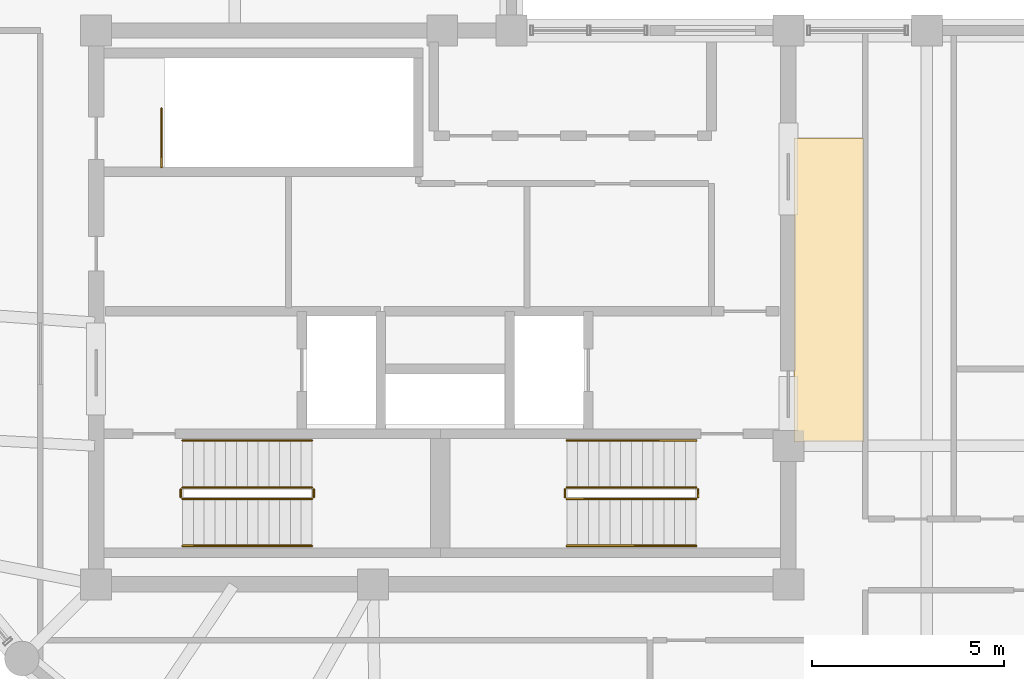
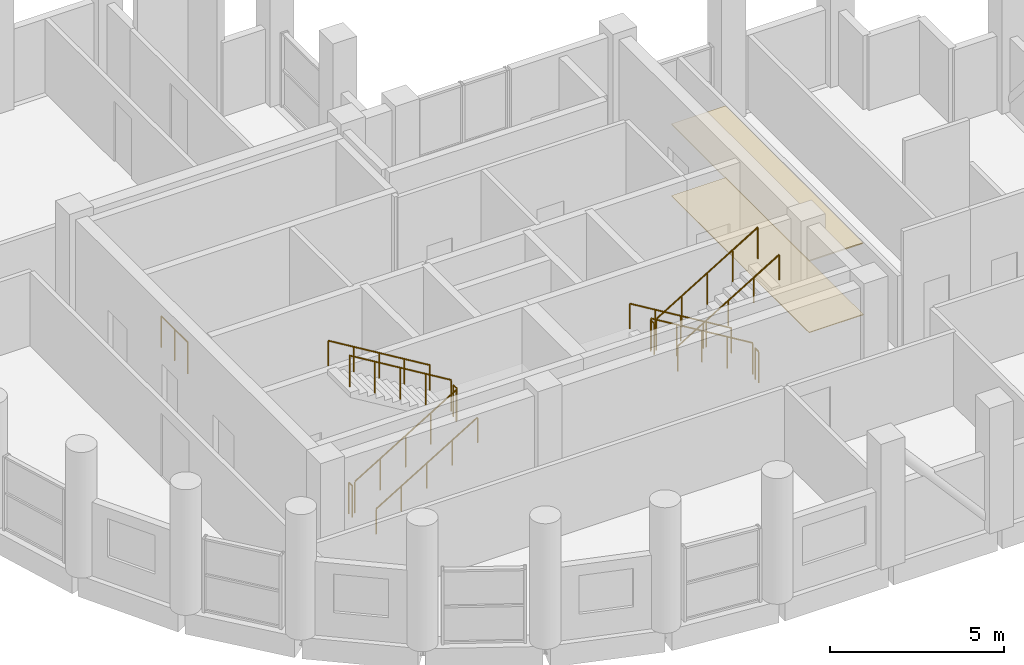
# One storey, part 14 of 14: 13 railings, 2 coverings.
"""IFC4 building model written with IfcOpenShell, lengths in metres."""

from ifc_helpers import new_model, si_unit, direction, frame, origin, origin_2d, place, context, subcontext, project, spatial, polyline, circle, outline, extrude, material, layer, layer_set, type_object, element, save


model = new_model("IFC4")

# Units and contexts
model_context = context("Model", 3, precision=1e-05, world=origin(), true_north=direction((0.0, 1.0)))
body_context = subcontext(model_context, "Body", "Model", "MODEL_VIEW")
ifc_project = project(units=[si_unit("LENGTHUNIT", "METRE"), si_unit("AREAUNIT", "SQUARE_METRE"), si_unit("VOLUMEUNIT", "CUBIC_METRE"), si_unit("PLANEANGLEUNIT", "RADIAN"), si_unit("MASSUNIT", "GRAM", prefix="KILO")], contexts=[model_context])

# Site, building, storey
site_placement = place(None, origin())
site = spatial("IfcSite", under=ifc_project, at=site_placement, CompositionType="ELEMENT")
building_placement = place(site_placement, origin())
building = spatial("IfcBuilding", under=site, at=building_placement, Name="Solnavia Interchange Tower", CompositionType="ELEMENT")
storey_placement = place(building_placement, frame((0.0, 0.0, 299.800048828125)))
storey = spatial("IfcBuildingStorey", under=building, at=storey_placement, Name="L76", CompositionType="ELEMENT", Elevation=299.800048828125)

# Coverings
ifc_material_1 = material(Name="Perforated Mineral-Fibre & Gypsum Ceiling", Category="gypsum")
ifc_layer_1 = layer(ifc_material_1, 0.0400390625)
ifc_layer_set_1 = layer_set([ifc_layer_1], Name="Perforated Mineral-Fibre & Gypsum Ceiling")
covering_type_1 = type_object("IfcCoveringType", Name="Covering-Ceiling-Acoustic40", PredefinedType="CEILING", material=ifc_layer_set_1)
covering_1_placement = place(storey_placement, frame((0.0, 0.0, 2.5)))
element("IfcCovering", 1, at=covering_1_placement, inside=storey, type_object=covering_type_1, Name="CLG-L76-01 Circulation suspended acoustic ceiling", PredefinedType="CEILING", context=body_context, shape_type="SweptSolid", body=[
    extrude(outline(polyline([(32.550048828125, 14.5), (34.35009765625, 14.5), (34.35009765625, 22.39990234375), (32.550048828125, 22.39990234375), (32.550048828125, 14.5)])), origin(), (0.0, 0.0, 1.0), 0.0400390625),
])
ifc_material_2 = material(Name="Polished Alicante Stone Terrazzo", Category="masonry")
ifc_layer_2 = layer(ifc_material_2, 0.02490234375)
ifc_layer_set_2 = layer_set([ifc_layer_2], Name="Polished Alicante Stone Terrazzo")
covering_type_2 = type_object("IfcCoveringType", Name="Covering-Flooring-Terrazzo25", PredefinedType="FLOORING", material=ifc_layer_set_2)
covering_2_placement = place(storey_placement, origin())
element("IfcCovering", 2, at=covering_2_placement, inside=storey, type_object=covering_type_2, Name="FLR-L76-01 Circulation floor finish", PredefinedType="FLOORING", context=body_context, shape_type="SweptSolid", body=[
    extrude(outline(polyline([(32.550048828125, 14.5), (34.35009765625, 14.5), (34.35009765625, 22.39990234375), (32.550048828125, 22.39990234375), (32.550048828125, 14.5)])), origin(), (0.0, 0.0, 1.0), 0.02490234375),
])

# Railings
ifc_material_3 = material(Name="Painted Steel Balustrade", Category="steel")
railing_type_1 = type_object("IfcRailingType", Name="Railing-StairGuard-1100", PredefinedType="GUARDRAIL", material=ifc_material_3)
railing_1_placement = place(storey_placement, frame((16.64990234375, 13.02001953125, 0.169189453125)))
element("IfcRailing", 3, at=railing_1_placement, inside=storey, type_object=railing_type_1, Name="L76 ST-1 stair guard 1", PredefinedType="GUARDRAIL", context=body_context, shape_type="SweptSolid", body=[
    extrude(circle(Radius=0.02392578125, at=origin_2d()), frame((0.0, 0.0, 1.09619140625), z_axis=(0.855836976705, 0.0, 0.517245656632), x_axis=(0.0, 1.0, 0.0)), (0.0, 0.0, 1.0), 3.926025390625),
    extrude(circle(Radius=0.02099609375, at=origin_2d()), origin(), (0.0, 0.0, 1.0), 1.072021484375),
    extrude(circle(Radius=0.02099609375, at=origin_2d()), frame((0.840087890625, 0.0, 0.5078125)), (0.0, 0.0, 1.0), 1.072021484375),
    extrude(circle(Radius=0.02099609375, at=origin_2d()), frame((1.68017578125, 0.0, 1.015380859375)), (0.0, 0.0, 1.0), 1.072021484375),
    extrude(circle(Radius=0.02099609375, at=origin_2d()), frame((2.52001953125, 0.0, 1.52294921875)), (0.0, 0.0, 1.0), 1.072021484375),
    extrude(circle(Radius=0.02099609375, at=origin_2d()), frame((3.360107421875, 0.0, 2.03076171875)), (0.0, 0.0, 1.0), 1.072021484375),
])
railing_2_placement = place(storey_placement, frame((20.06005859375, 13.070068359375, 2.199951171875)))
element("IfcRailing", 4, at=railing_2_placement, inside=storey, type_object=railing_type_1, Name="L76 ST-1 stair guard 2", PredefinedType="GUARDRAIL", context=body_context, shape_type="SweptSolid", body=[
    extrude(circle(Radius=0.02392578125, at=origin_2d()), frame((0.0, 0.0, 1.09619140625), z_axis=(0.0, 1.0, 0.0), x_axis=(-1.0, 0.0, 0.0)), (0.0, 0.0, 1.0), 0.199951171875),
    extrude(circle(Radius=0.02099609375, at=origin_2d()), origin(), (0.0, 0.0, 1.0), 1.072021484375),
    extrude(circle(Radius=0.02099609375, at=origin_2d()), frame((0.0, 0.199951171875, 0.0)), (0.0, 0.0, 1.0), 1.072021484375),
])
railing_3_placement = place(storey_placement, frame((20.010009765625, 13.320068359375, 2.369140625)))
element("IfcRailing", 5, at=railing_3_placement, inside=storey, type_object=railing_type_1, Name="L76 ST-1 stair guard 3", PredefinedType="GUARDRAIL", context=body_context, shape_type="SweptSolid", body=[
    extrude(circle(Radius=0.02392578125, at=origin_2d()), frame((0.0, 0.0, 1.09619140625), z_axis=(-0.855836976705, 0.0, 0.517245656632), x_axis=(0.0, -1.0, 0.0)), (0.0, 0.0, 1.0), 3.926025390625),
    extrude(circle(Radius=0.02099609375, at=origin_2d()), origin(), (0.0, 0.0, 1.0), 1.072021484375),
    extrude(circle(Radius=0.02099609375, at=origin_2d()), frame((-0.840087890625, 0.0, 0.5078125)), (0.0, 0.0, 1.0), 1.072021484375),
    extrude(circle(Radius=0.02099609375, at=origin_2d()), frame((-1.68017578125, 0.0, 1.015380859375)), (0.0, 0.0, 1.0), 1.072021484375),
    extrude(circle(Radius=0.02099609375, at=origin_2d()), frame((-2.52001953125, 0.0, 1.52294921875)), (0.0, 0.0, 1.0), 1.072021484375),
    extrude(circle(Radius=0.02099609375, at=origin_2d()), frame((-3.360107421875, 0.0, 2.03076171875)), (0.0, 0.0, 1.0), 1.072021484375),
])
railing_4_placement = place(storey_placement, frame((16.60009765625, 13.070068359375, 0.0)))
element("IfcRailing", 6, at=railing_4_placement, inside=storey, type_object=railing_type_1, Name="L76 ST-1 stair guard 4", PredefinedType="GUARDRAIL", context=body_context, shape_type="SweptSolid", body=[
    extrude(circle(Radius=0.02392578125, at=origin_2d()), frame((0.0, 0.0, 1.09619140625), z_axis=(0.0, 1.0, 0.0), x_axis=(-1.0, 0.0, 0.0)), (0.0, 0.0, 1.0), 0.199951171875),
    extrude(circle(Radius=0.02099609375, at=origin_2d()), origin(), (0.0, 0.0, 1.0), 1.072021484375),
    extrude(circle(Radius=0.02099609375, at=origin_2d()), frame((0.0, 0.199951171875, 0.0)), (0.0, 0.0, 1.0), 1.072021484375),
])
railing_5_placement = place(storey_placement, frame((30.0, 13.320068359375, 0.169189453125)))
element("IfcRailing", 7, at=railing_5_placement, inside=storey, type_object=railing_type_1, Name="L76 ST-2 stair guard 1", PredefinedType="GUARDRAIL", context=body_context, shape_type="SweptSolid", body=[
    extrude(circle(Radius=0.02392578125, at=origin_2d()), frame((0.0, 0.0, 1.09619140625), z_axis=(-0.855836976705, 0.0, 0.517245656632), x_axis=(0.0, -1.0, 0.0)), (0.0, 0.0, 1.0), 3.926025390625),
    extrude(circle(Radius=0.02099609375, at=origin_2d()), origin(), (0.0, 0.0, 1.0), 1.072021484375),
    extrude(circle(Radius=0.02099609375, at=origin_2d()), frame((-0.840087890625, 0.0, 0.5078125)), (0.0, 0.0, 1.0), 1.072021484375),
    extrude(circle(Radius=0.02099609375, at=origin_2d()), frame((-1.68017578125, 0.0, 1.015380859375)), (0.0, 0.0, 1.0), 1.072021484375),
    extrude(circle(Radius=0.02099609375, at=origin_2d()), frame((-2.52001953125, 0.0, 1.52294921875)), (0.0, 0.0, 1.0), 1.072021484375),
    extrude(circle(Radius=0.02099609375, at=origin_2d()), frame((-3.360107421875, 0.0, 2.03076171875)), (0.0, 0.0, 1.0), 1.072021484375),
])
railing_6_placement = place(storey_placement, frame((26.590087890625, 13.27001953125, 2.199951171875)))
element("IfcRailing", 8, at=railing_6_placement, inside=storey, type_object=railing_type_1, Name="L76 ST-2 stair guard 2", PredefinedType="GUARDRAIL", context=body_context, shape_type="SweptSolid", body=[
    extrude(circle(Radius=0.02392578125, at=origin_2d()), frame((0.0, 0.0, 1.09619140625), z_axis=(0.0, -1.0, 0.0), x_axis=(1.0, 0.0, 0.0)), (0.0, 0.0, 1.0), 0.199951171875),
    extrude(circle(Radius=0.02099609375, at=origin_2d()), origin(), (0.0, 0.0, 1.0), 1.072021484375),
    extrude(circle(Radius=0.02099609375, at=origin_2d()), frame((0.0, -0.199951171875, 0.0)), (0.0, 0.0, 1.0), 1.072021484375),
])
railing_7_placement = place(storey_placement, frame((26.639892578125, 13.02001953125, 2.369140625)))
element("IfcRailing", 9, at=railing_7_placement, inside=storey, type_object=railing_type_1, Name="L76 ST-2 stair guard 3", PredefinedType="GUARDRAIL", context=body_context, shape_type="SweptSolid", body=[
    extrude(circle(Radius=0.02392578125, at=origin_2d()), frame((0.0, 0.0, 1.09619140625), z_axis=(0.855836976705, 0.0, 0.517245656632), x_axis=(0.0, 1.0, 0.0)), (0.0, 0.0, 1.0), 3.926025390625),
    extrude(circle(Radius=0.02099609375, at=origin_2d()), origin(), (0.0, 0.0, 1.0), 1.072021484375),
    extrude(circle(Radius=0.02099609375, at=origin_2d()), frame((0.840087890625, 0.0, 0.5078125)), (0.0, 0.0, 1.0), 1.072021484375),
    extrude(circle(Radius=0.02099609375, at=origin_2d()), frame((1.68017578125, 0.0, 1.015380859375)), (0.0, 0.0, 1.0), 1.072021484375),
    extrude(circle(Radius=0.02099609375, at=origin_2d()), frame((2.52001953125, 0.0, 1.52294921875)), (0.0, 0.0, 1.0), 1.072021484375),
    extrude(circle(Radius=0.02099609375, at=origin_2d()), frame((3.360107421875, 0.0, 2.03076171875)), (0.0, 0.0, 1.0), 1.072021484375),
])
railing_8_placement = place(storey_placement, frame((30.050048828125, 13.27001953125, 0.0)))
element("IfcRailing", 10, at=railing_8_placement, inside=storey, type_object=railing_type_1, Name="L76 ST-2 stair guard 4", PredefinedType="GUARDRAIL", context=body_context, shape_type="SweptSolid", body=[
    extrude(circle(Radius=0.02392578125, at=origin_2d()), frame((0.0, 0.0, 1.09619140625), z_axis=(0.0, -1.0, 0.0), x_axis=(1.0, 0.0, 0.0)), (0.0, 0.0, 1.0), 0.199951171875),
    extrude(circle(Radius=0.02099609375, at=origin_2d()), origin(), (0.0, 0.0, 1.0), 1.072021484375),
    extrude(circle(Radius=0.02099609375, at=origin_2d()), frame((0.0, -0.199951171875, 0.0)), (0.0, 0.0, 1.0), 1.072021484375),
])
railing_9_placement = place(storey_placement, frame((16.10009765625, 21.64990234375, 0.0)))
element("IfcRailing", 11, at=railing_9_placement, inside=storey, type_object=railing_type_1, Name="L76 ST-3 top well guard 1", PredefinedType="GUARDRAIL", context=body_context, shape_type="SweptSolid", body=[
    extrude(circle(Radius=0.02392578125, at=origin_2d()), frame((0.0, 0.0, 1.09619140625), z_axis=(0.0, 1.0, 0.0), x_axis=(-1.0, 0.0, 0.0)), (0.0, 0.0, 1.0), 1.52001953125),
    extrude(circle(Radius=0.02099609375, at=origin_2d()), origin(), (0.0, 0.0, 1.0), 1.072021484375),
    extrude(circle(Radius=0.02099609375, at=origin_2d()), frame((0.0, 0.760009765625, 0.0)), (0.0, 0.0, 1.0), 1.072021484375),
    extrude(circle(Radius=0.02099609375, at=origin_2d()), frame((0.0, 1.52001953125, 0.0)), (0.0, 0.0, 1.0), 1.072021484375),
])
ifc_material_4 = material(Name="Brushed Stainless Steel", Category="steel")
railing_type_2 = type_object("IfcRailingType", Name="Railing-StairHandrail-900", PredefinedType="HANDRAIL", material=ifc_material_4)
railing_10_placement = place(storey_placement, frame((16.64990234375, 11.800048828125, 0.169189453125)))
element("IfcRailing", 12, at=railing_10_placement, inside=storey, type_object=railing_type_2, Name="L76 ST-1 stair handrail 1", PredefinedType="HANDRAIL", context=body_context, shape_type="SweptSolid", body=[
    extrude(circle(Radius=0.02392578125, at=origin_2d()), frame((0.0, 0.0, 0.8759765625), z_axis=(0.855836976705, 0.0, 0.517245656632), x_axis=(0.0, 1.0, 0.0)), (0.0, 0.0, 1.0), 3.926025390625),
    extrude(circle(Radius=0.02099609375, at=origin_2d()), origin(), (0.0, 0.0, 1.0), 0.851806640625),
    extrude(circle(Radius=0.02099609375, at=origin_2d()), frame((0.840087890625, 0.0, 0.5078125)), (0.0, 0.0, 1.0), 0.851806640625),
    extrude(circle(Radius=0.02099609375, at=origin_2d()), frame((1.68017578125, 0.0, 1.015380859375)), (0.0, 0.0, 1.0), 0.851806640625),
    extrude(circle(Radius=0.02099609375, at=origin_2d()), frame((2.52001953125, 0.0, 1.52294921875)), (0.0, 0.0, 1.0), 0.851806640625),
    extrude(circle(Radius=0.02099609375, at=origin_2d()), frame((3.360107421875, 0.0, 2.03076171875)), (0.0, 0.0, 1.0), 0.851806640625),
])
for number, where, name in (
    (13, (20.010009765625, 14.5400390625, 2.369140625), "L76 ST-1 stair handrail 2"),
    (14, (30.0, 14.5400390625, 0.169189453125), "L76 ST-2 stair handrail 1"),
):
    element("IfcRailing", number, at=place(storey_placement, frame(where)), inside=storey, type_object=railing_type_2, Name=name, PredefinedType="HANDRAIL", context=body_context, shape_type="SweptSolid", body=[
        extrude(circle(Radius=0.02392578125, at=origin_2d()), frame((0.0, 0.0, 0.8759765625), z_axis=(-0.855836976705, 0.0, 0.517245656632), x_axis=(0.0, -1.0, 0.0)), (0.0, 0.0, 1.0), 3.926025390625),
        extrude(circle(Radius=0.02099609375, at=origin_2d()), origin(), (0.0, 0.0, 1.0), 0.851806640625),
        extrude(circle(Radius=0.02099609375, at=origin_2d()), frame((-0.840087890625, 0.0, 0.5078125)), (0.0, 0.0, 1.0), 0.851806640625),
        extrude(circle(Radius=0.02099609375, at=origin_2d()), frame((-1.68017578125, 0.0, 1.015380859375)), (0.0, 0.0, 1.0), 0.851806640625),
        extrude(circle(Radius=0.02099609375, at=origin_2d()), frame((-2.52001953125, 0.0, 1.52294921875)), (0.0, 0.0, 1.0), 0.851806640625),
        extrude(circle(Radius=0.02099609375, at=origin_2d()), frame((-3.360107421875, 0.0, 2.03076171875)), (0.0, 0.0, 1.0), 0.851806640625),
    ])
railing_11_placement = place(storey_placement, frame((26.639892578125, 11.800048828125, 2.369140625)))
element("IfcRailing", 15, at=railing_11_placement, inside=storey, type_object=railing_type_2, Name="L76 ST-2 stair handrail 2", PredefinedType="HANDRAIL", context=body_context, shape_type="SweptSolid", body=[
    extrude(circle(Radius=0.02392578125, at=origin_2d()), frame((0.0, 0.0, 0.8759765625), z_axis=(0.855836976705, 0.0, 0.517245656632), x_axis=(0.0, 1.0, 0.0)), (0.0, 0.0, 1.0), 3.926025390625),
    extrude(circle(Radius=0.02099609375, at=origin_2d()), origin(), (0.0, 0.0, 1.0), 0.851806640625),
    extrude(circle(Radius=0.02099609375, at=origin_2d()), frame((0.840087890625, 0.0, 0.5078125)), (0.0, 0.0, 1.0), 0.851806640625),
    extrude(circle(Radius=0.02099609375, at=origin_2d()), frame((1.68017578125, 0.0, 1.015380859375)), (0.0, 0.0, 1.0), 0.851806640625),
    extrude(circle(Radius=0.02099609375, at=origin_2d()), frame((2.52001953125, 0.0, 1.52294921875)), (0.0, 0.0, 1.0), 0.851806640625),
    extrude(circle(Radius=0.02099609375, at=origin_2d()), frame((3.360107421875, 0.0, 2.03076171875)), (0.0, 0.0, 1.0), 0.851806640625),
])

save(model, "model.ifc")
